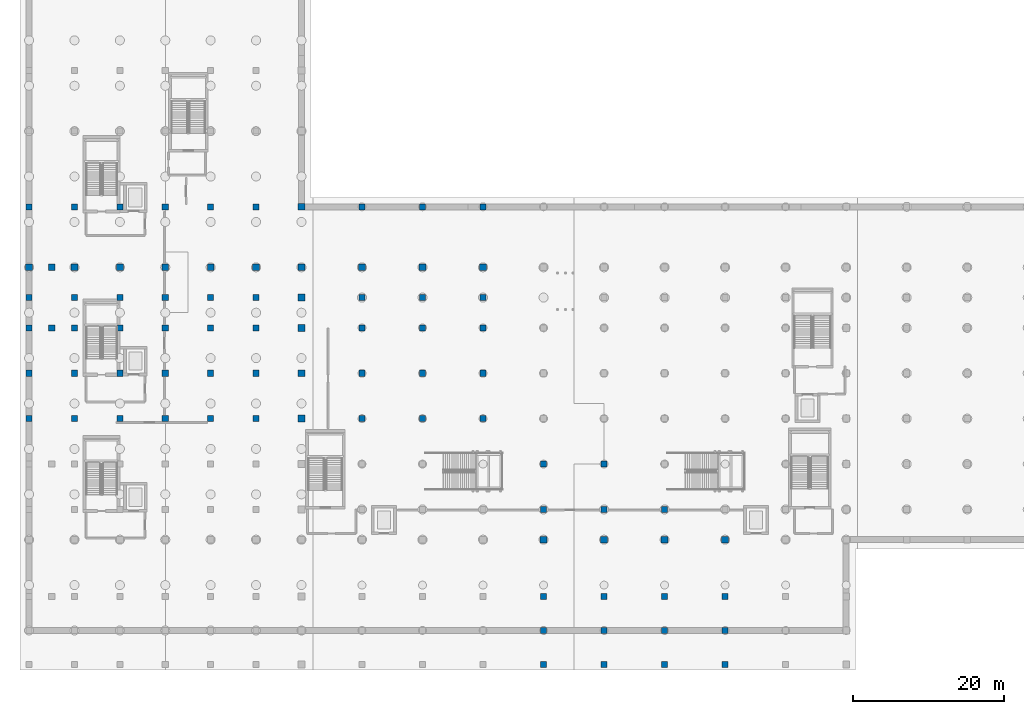
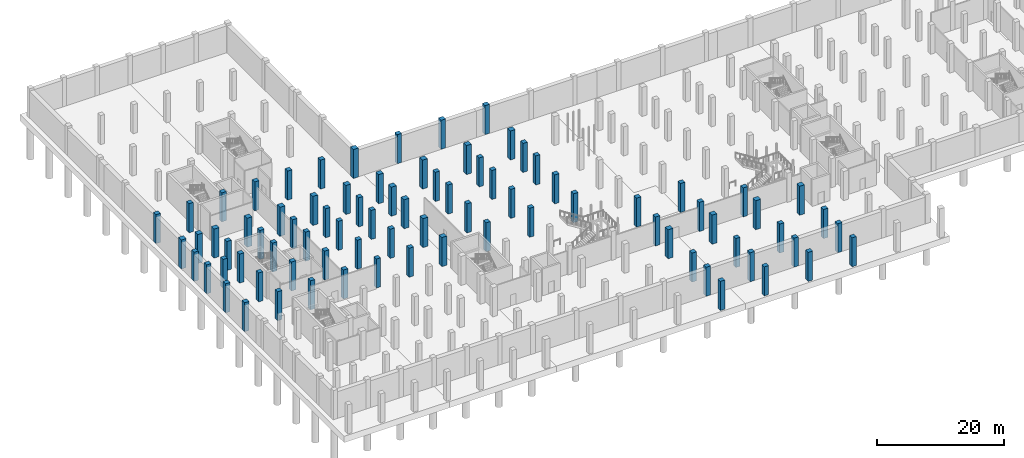
# One storey, part 4 of 26: 83 columns.
"""IFC4 building model written with IfcOpenShell, lengths in metres."""

from ifc_helpers import new_model, si_unit, direction, frame, origin, origin_2d, place, context, subcontext, project, spatial, rectangle, extrude, material, material_profile, profile_set, type_object, element, save


model = new_model("IFC4")

# Units and contexts
model_context = context("Model", 3, precision=1e-05, world=origin(), true_north=direction((0.0, 1.0)))
body_context = subcontext(model_context, "Body", "Model", "MODEL_VIEW")
ifc_project = project(units=[si_unit("LENGTHUNIT", "METRE"), si_unit("AREAUNIT", "SQUARE_METRE"), si_unit("VOLUMEUNIT", "CUBIC_METRE"), si_unit("PLANEANGLEUNIT", "RADIAN"), si_unit("MASSUNIT", "GRAM", prefix="KILO")], contexts=[model_context])

# Site, building, storey
site_placement = place(None, origin())
site = spatial("IfcSite", under=ifc_project, at=site_placement, CompositionType="ELEMENT")
building_placement = place(site_placement, origin())
building = spatial("IfcBuilding", under=site, at=building_placement, Name="Verrall Gate Interchange", CompositionType="ELEMENT")
storey_placement = place(building_placement, frame((0.0, 0.0, -10.39990234375)))
storey = spatial("IfcBuildingStorey", under=building, at=storey_placement, Name="B2", CompositionType="ELEMENT", Elevation=-10.39990234375)

# Columns
ifc_material_1 = material(Name="Concrete CSA A23.1 40 MPa (Class N)", Category="concrete")
ifc_material_profile_1 = material_profile(ifc_material_1, rectangle(XDim=0.89990234375, YDim=0.89990234375, at=origin_2d()), Name="RC900x900")
ifc_profile_set_1 = profile_set([ifc_material_profile_1], Name="Concrete CSA A23.1 40 MPa (Class N)")
column_type_1 = type_object("IfcColumnType", Name="C-01 Column RC900x900", PredefinedType="COLUMN", material=ifc_profile_set_1)
for number, where, z_axis, x_axis, name in (
    (1, (0.0, 48.0, 0.0), (0.0, 0.0, 1.0), (1.0, 0.0, 0.0), "B2 Column COL-B2-0065 (C-01)"),
    (2, (3.0, 48.0, 0.0), (0.0, 0.0, 1.0), (1.0, 0.0, 0.0), "B2 Column COL-B2-0122 (C-01)"),
    (3, (6.0, 48.0, 0.0), (0.0, 0.0, 1.0), (1.0, 0.0, 0.0), "B2 Column COL-B2-0208 (C-01)"),
    (4, (12.0, 48.0, 0.0), (0.0, 0.0, 1.0), (1.0, 0.0, 0.0), "B2 Column COL-B2-0325 (C-01)"),
    (5, (18.0, 48.0, 0.0), (0.0, 0.0, 1.0), (1.0, 0.0, 0.0), "B2 Column COL-B2-0442 (C-01)"),
    (6, (24.0, 48.0, 0.0), (0.0, 0.0, 1.0), (1.0, 0.0, 0.0), "B2 Column COL-B2-0559 (C-01)"),
    (7, (30.0, 48.0, 0.0), (0.0, 0.0, 1.0), (1.0, 0.0, 0.0), "B2 Column COL-B2-0676 (C-01)"),
    (8, (36.0, 28.0, 0.0), (0.0, 0.0, 1.0), (1.0, 0.0, 0.0), "B2 Column COL-B2-0754 (C-01)"),
    (9, (36.0, 34.0, 0.0), (0.0, 0.0, 1.0), (1.0, 0.0, 0.0), "B2 Column COL-B2-0762 (C-01)"),
    (10, (36.0, 40.0, 0.0), (0.0, 0.0, 1.0), (1.0, 0.0, 0.0), "B2 Column COL-B2-0770 (C-01)"),
    (11, (36.0, 44.0, 0.0), (0.0, 0.0, 1.0), (1.0, 0.0, 0.0), "B2 Column COL-B2-0778 (C-01)"),
    (12, (36.0, 48.0, 0.0), (0.0, 0.0, 1.0), (1.0, 0.0, 0.0), "B2 Column COL-B2-0786 (C-01)"),
    (13, (36.0, 56.0, 0.0), (0.0, 0.0, 1.0), (1.0, 0.0, 0.0), "B2 Column COL-B2-0794 (C-01)"),
    (14, (44.0, 48.0, 0.0), (0.0, 0.0, 1.0), (1.0, 0.0, 0.0), "B2 Column COL-B2-0854 (C-01)"),
    (15, (52.0, 48.0, 0.0), (0.0, 0.0, 1.0), (1.0, 0.0, 0.0), "B2 Column COL-B2-0892 (C-01)"),
    (16, (60.0, 48.0, 0.0), (0.0, 0.0, 1.0), (1.0, 0.0, 0.0), "B2 Column COL-B2-0928 (C-01)"),
    (17, (68.0, 12.0, 0.0), (0.0, 0.0, 1.0), (1.0, 0.0, 0.0), "B2 Column COL-B2-0946 (C-01)"),
    (18, (76.0, 12.0, 0.0), (0.0, 0.0, 1.0), (1.0, 0.0, 0.0), "B2 Column COL-B2-0980 (C-01)"),
    (19, (84.0, 12.0, 0.0), (0.0, 0.0, 1.0), (1.0, 0.0, 0.0), "B2 Column COL-B2-1018 (C-01)"),
    (20, (92.0, 12.0, 0.0), (0.0, 0.0, 1.0), (1.0, 0.0, 0.0), "B2 Column COL-B2-1056 (C-01)"),
):
    element("IfcColumn", number, at=place(storey_placement, frame(where, z_axis=z_axis, x_axis=x_axis)), inside=storey, type_object=column_type_1, Name=name, PredefinedType="COLUMN", context=body_context, shape_type="SweptSolid", body=[
        extrude(rectangle(XDim=0.89990234375, YDim=0.89990234375, at=origin_2d()), origin(), (0.0, 0.0, 1.0), 5.599853515625),
    ])
ifc_material_2 = material(Name="Concrete CSA A23.1 40 MPa (Class N)", Category="concrete")
ifc_material_profile_2 = material_profile(ifc_material_2, rectangle(XDim=0.800048828125, YDim=0.800048828125, at=origin_2d()), Name="RC800x800")
ifc_profile_set_2 = profile_set([ifc_material_profile_2], Name="Concrete CSA A23.1 40 MPa (Class N)")
column_type_2 = type_object("IfcColumnType", Name="C-02 Column RC800x800", PredefinedType="COLUMN", material=ifc_profile_set_2)
for number, where, z_axis, x_axis, name in (
    (21, (0.0, 28.0, 0.0), (0.0, 0.0, 1.0), (1.0, 0.0, 0.0), "B2 Column COL-B2-0037 (C-02)"),
    (22, (0.0, 34.0, 0.0), (0.0, 0.0, 1.0), (1.0, 0.0, 0.0), "B2 Column COL-B2-0044 (C-02)"),
    (23, (0.0, 40.0, 0.0), (0.0, 0.0, 1.0), (1.0, 0.0, 0.0), "B2 Column COL-B2-0051 (C-02)"),
    (24, (0.0, 44.0, 0.0), (0.0, 0.0, 1.0), (1.0, 0.0, 0.0), "B2 Column COL-B2-0058 (C-02)"),
    (25, (0.0, 56.0, 0.0), (0.0, 0.0, 1.0), (1.0, 0.0, 0.0), "B2 Column COL-B2-0072 (C-02)"),
    (26, (3.0, 40.0, 0.0), (0.0, 0.0, 1.0), (1.0, 0.0, 0.0), "B2 Column COL-B2-0115 (C-02)"),
    (27, (6.0, 28.0, 0.0), (0.0, 0.0, 1.0), (1.0, 0.0, 0.0), "B2 Column COL-B2-0172 (C-02)"),
    (28, (6.0, 34.0, 0.0), (0.0, 0.0, 1.0), (1.0, 0.0, 0.0), "B2 Column COL-B2-0181 (C-02)"),
    (29, (6.0, 40.0, 0.0), (0.0, 0.0, 1.0), (1.0, 0.0, 0.0), "B2 Column COL-B2-0190 (C-02)"),
    (30, (6.0, 44.0, 0.0), (0.0, 0.0, 1.0), (1.0, 0.0, 0.0), "B2 Column COL-B2-0199 (C-02)"),
    (31, (6.0, 56.0, 0.0), (0.0, 0.0, 1.0), (1.0, 0.0, 0.0), "B2 Column COL-B2-0216 (C-02)"),
    (32, (12.0, 28.0, 0.0), (0.0, 0.0, 1.0), (1.0, 0.0, 0.0), "B2 Column COL-B2-0289 (C-02)"),
    (33, (12.0, 34.0, 0.0), (0.0, 0.0, 1.0), (1.0, 0.0, 0.0), "B2 Column COL-B2-0298 (C-02)"),
    (34, (12.0, 40.0, 0.0), (0.0, 0.0, 1.0), (1.0, 0.0, 0.0), "B2 Column COL-B2-0307 (C-02)"),
    (35, (12.0, 44.0, 0.0), (0.0, 0.0, 1.0), (1.0, 0.0, 0.0), "B2 Column COL-B2-0316 (C-02)"),
    (36, (12.0, 56.0, 0.0), (0.0, 0.0, 1.0), (1.0, 0.0, 0.0), "B2 Column COL-B2-0333 (C-02)"),
    (37, (18.0, 28.0, 0.0), (0.0, 0.0, 1.0), (1.0, 0.0, 0.0), "B2 Column COL-B2-0406 (C-02)"),
    (38, (18.0, 34.0, 0.0), (0.0, 0.0, 1.0), (1.0, 0.0, 0.0), "B2 Column COL-B2-0415 (C-02)"),
    (39, (18.0, 40.0, 0.0), (0.0, 0.0, 1.0), (1.0, 0.0, 0.0), "B2 Column COL-B2-0424 (C-02)"),
    (40, (18.0, 44.0, 0.0), (0.0, 0.0, 1.0), (1.0, 0.0, 0.0), "B2 Column COL-B2-0433 (C-02)"),
    (41, (18.0, 56.0, 0.0), (0.0, 0.0, 1.0), (1.0, 0.0, 0.0), "B2 Column COL-B2-0450 (C-02)"),
    (42, (24.0, 28.0, 0.0), (0.0, 0.0, 1.0), (1.0, 0.0, 0.0), "B2 Column COL-B2-0523 (C-02)"),
    (43, (24.0, 34.0, 0.0), (0.0, 0.0, 1.0), (1.0, 0.0, 0.0), "B2 Column COL-B2-0532 (C-02)"),
    (44, (24.0, 40.0, 0.0), (0.0, 0.0, 1.0), (1.0, 0.0, 0.0), "B2 Column COL-B2-0541 (C-02)"),
    (45, (24.0, 44.0, 0.0), (0.0, 0.0, 1.0), (1.0, 0.0, 0.0), "B2 Column COL-B2-0550 (C-02)"),
    (46, (24.0, 56.0, 0.0), (0.0, 0.0, 1.0), (1.0, 0.0, 0.0), "B2 Column COL-B2-0567 (C-02)"),
    (47, (30.0, 28.0, 0.0), (0.0, 0.0, 1.0), (1.0, 0.0, 0.0), "B2 Column COL-B2-0640 (C-02)"),
    (48, (30.0, 34.0, 0.0), (0.0, 0.0, 1.0), (1.0, 0.0, 0.0), "B2 Column COL-B2-0649 (C-02)"),
    (49, (30.0, 40.0, 0.0), (0.0, 0.0, 1.0), (1.0, 0.0, 0.0), "B2 Column COL-B2-0658 (C-02)"),
    (50, (30.0, 44.0, 0.0), (0.0, 0.0, 1.0), (1.0, 0.0, 0.0), "B2 Column COL-B2-0667 (C-02)"),
    (51, (30.0, 56.0, 0.0), (0.0, 0.0, 1.0), (1.0, 0.0, 0.0), "B2 Column COL-B2-0684 (C-02)"),
    (52, (44.0, 28.0, 0.0), (0.0, 0.0, 1.0), (1.0, 0.0, 0.0), "B2 Column COL-B2-0844 (C-02)"),
    (53, (44.0, 34.0, 0.0), (0.0, 0.0, 1.0), (1.0, 0.0, 0.0), "B2 Column COL-B2-0846 (C-02)"),
    (54, (44.0, 40.0, 0.0), (0.0, 0.0, 1.0), (1.0, 0.0, 0.0), "B2 Column COL-B2-0848 (C-02)"),
    (55, (44.0, 44.0, 0.0), (0.0, 0.0, 1.0), (1.0, 0.0, 0.0), "B2 Column COL-B2-0850 (C-02)"),
    (56, (44.0, 56.0, 0.0), (0.0, 0.0, 1.0), (1.0, 0.0, 0.0), "B2 Column COL-B2-0858 (C-02)"),
    (57, (52.0, 28.0, 0.0), (0.0, 0.0, 1.0), (1.0, 0.0, 0.0), "B2 Column COL-B2-0882 (C-02)"),
    (58, (52.0, 34.0, 0.0), (0.0, 0.0, 1.0), (1.0, 0.0, 0.0), "B2 Column COL-B2-0884 (C-02)"),
    (59, (52.0, 40.0, 0.0), (0.0, 0.0, 1.0), (1.0, 0.0, 0.0), "B2 Column COL-B2-0886 (C-02)"),
    (60, (52.0, 44.0, 0.0), (0.0, 0.0, 1.0), (1.0, 0.0, 0.0), "B2 Column COL-B2-0888 (C-02)"),
    (61, (52.0, 56.0, 0.0), (0.0, 0.0, 1.0), (1.0, 0.0, 0.0), "B2 Column COL-B2-0896 (C-02)"),
    (62, (60.0, 28.0, 0.0), (0.0, 0.0, 1.0), (1.0, 0.0, 0.0), "B2 Column COL-B2-0918 (C-02)"),
    (63, (60.0, 34.0, 0.0), (0.0, 0.0, 1.0), (1.0, 0.0, 0.0), "B2 Column COL-B2-0920 (C-02)"),
    (64, (60.0, 40.0, 0.0), (0.0, 0.0, 1.0), (1.0, 0.0, 0.0), "B2 Column COL-B2-0922 (C-02)"),
    (65, (60.0, 44.0, 0.0), (0.0, 0.0, 1.0), (1.0, 0.0, 0.0), "B2 Column COL-B2-0924 (C-02)"),
    (66, (60.0, 56.0, 0.0), (0.0, 0.0, 1.0), (1.0, 0.0, 0.0), "B2 Column COL-B2-0932 (C-02)"),
    (67, (68.0, -4.5, 0.0), (0.0, 0.0, 1.0), (1.0, 0.0, 0.0), "B2 Column COL-B2-0936 (C-02)"),
    (68, (68.0, 0.0, 0.0), (0.0, 0.0, 1.0), (1.0, 0.0, 0.0), "B2 Column COL-B2-0938 (C-02)"),
    (69, (68.0, 4.5, 0.0), (0.0, 0.0, 1.0), (1.0, 0.0, 0.0), "B2 Column COL-B2-0942 (C-02)"),
    (70, (68.0, 16.0, 0.0), (0.0, 0.0, 1.0), (1.0, 0.0, 0.0), "B2 Column COL-B2-0950 (C-02)"),
    (71, (68.0, 22.0, 0.0), (0.0, 0.0, 1.0), (1.0, 0.0, 0.0), "B2 Column COL-B2-0954 (C-02)"),
    (72, (76.0, -4.5, 0.0), (0.0, 0.0, 1.0), (1.0, 0.0, 0.0), "B2 Column COL-B2-0970 (C-02)"),
    (73, (76.0, 0.0, 0.0), (0.0, 0.0, 1.0), (1.0, 0.0, 0.0), "B2 Column COL-B2-0972 (C-02)"),
    (74, (76.0, 4.5, 0.0), (0.0, 0.0, 1.0), (1.0, 0.0, 0.0), "B2 Column COL-B2-0976 (C-02)"),
    (75, (76.0, 16.0, 0.0), (0.0, 0.0, 1.0), (1.0, 0.0, 0.0), "B2 Column COL-B2-0984 (C-02)"),
    (76, (76.0, 22.0, 0.0), (0.0, 0.0, 1.0), (1.0, 0.0, 0.0), "B2 Column COL-B2-0988 (C-02)"),
    (77, (84.0, -4.5, 0.0), (0.0, 0.0, 1.0), (1.0, 0.0, 0.0), "B2 Column COL-B2-1008 (C-02)"),
    (78, (84.0, 0.0, 0.0), (0.0, 0.0, 1.0), (1.0, 0.0, 0.0), "B2 Column COL-B2-1010 (C-02)"),
    (79, (84.0, 4.5, 0.0), (0.0, 0.0, 1.0), (1.0, 0.0, 0.0), "B2 Column COL-B2-1014 (C-02)"),
    (80, (84.0, 16.0, 0.0), (0.0, 0.0, 1.0), (1.0, 0.0, 0.0), "B2 Column COL-B2-1022 (C-02)"),
    (81, (92.0, -4.5, 0.0), (0.0, 0.0, 1.0), (1.0, 0.0, 0.0), "B2 Column COL-B2-1046 (C-02)"),
    (82, (92.0, 0.0, 0.0), (0.0, 0.0, 1.0), (1.0, 0.0, 0.0), "B2 Column COL-B2-1048 (C-02)"),
    (83, (92.0, 4.5, 0.0), (0.0, 0.0, 1.0), (1.0, 0.0, 0.0), "B2 Column COL-B2-1052 (C-02)"),
):
    element("IfcColumn", number, at=place(storey_placement, frame(where, z_axis=z_axis, x_axis=x_axis)), inside=storey, type_object=column_type_2, Name=name, PredefinedType="COLUMN", context=body_context, shape_type="SweptSolid", body=[
        extrude(rectangle(XDim=0.800048828125, YDim=0.800048828125, at=origin_2d()), origin(), (0.0, 0.0, 1.0), 5.599853515625),
    ])

save(model, "model.ifc")
